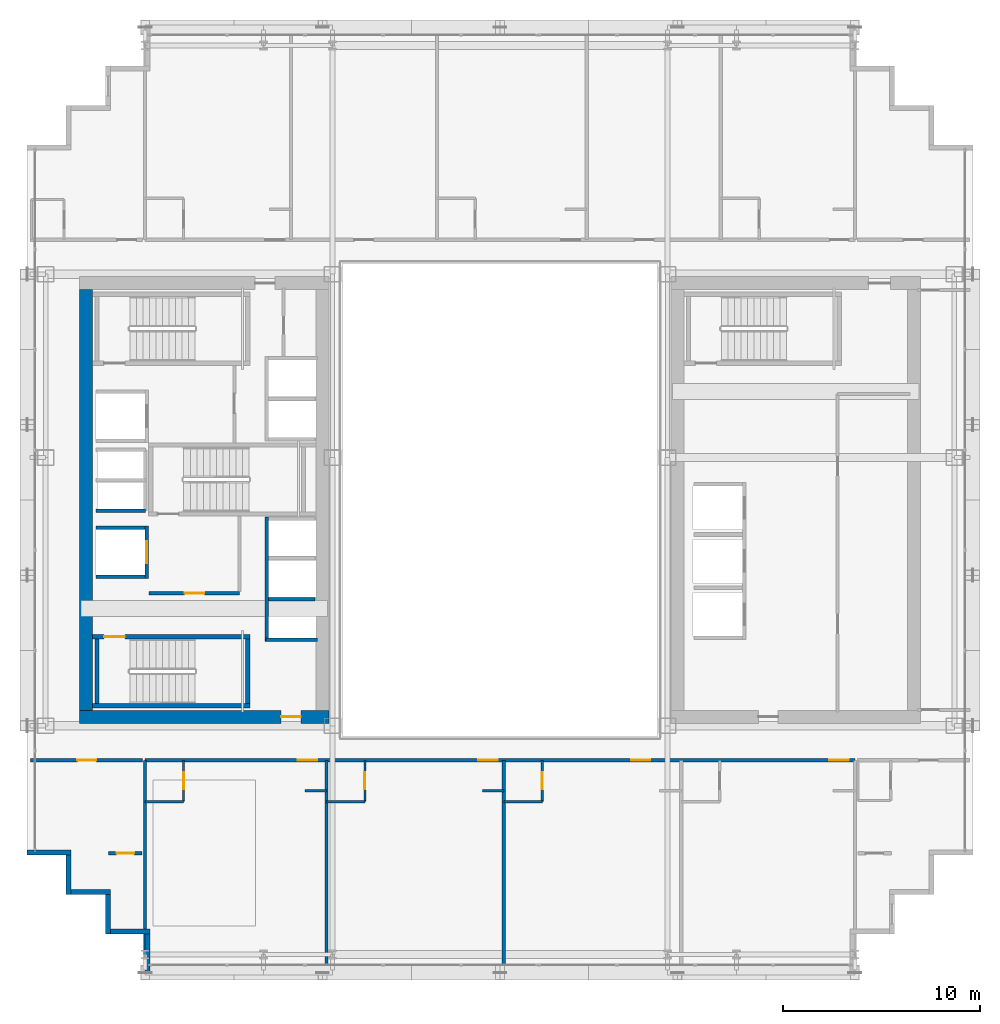
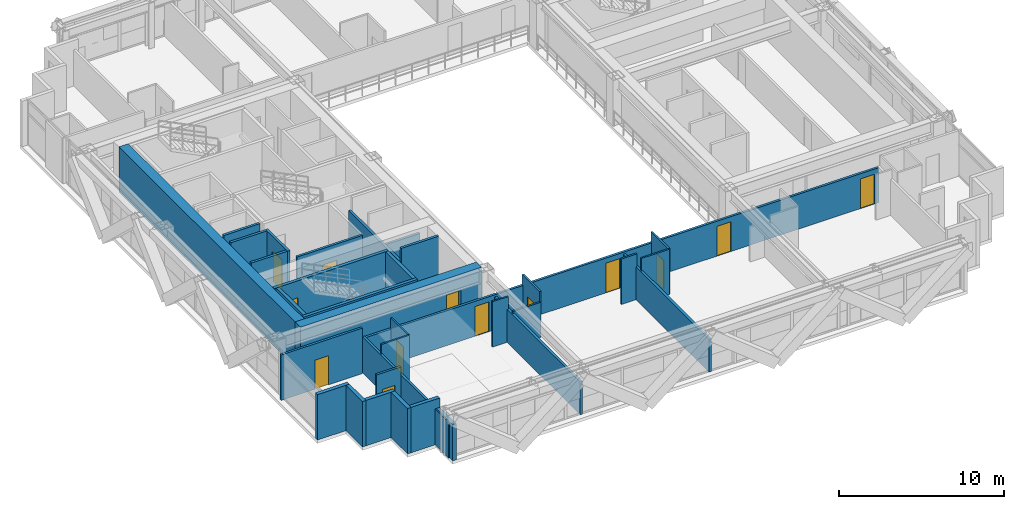
# One storey, part 27 of 34: 34 walls, 13 doors, 13 openings.
"""IFC4 building model written with IfcOpenShell, lengths in metres."""

import ifcopenshell
import ifcopenshell.guid

model = None  # the IFC model being written
_history = None  # IfcOwnerHistory: only IFC2X3 demands one
_inside = {}  # id of a spatial element -> (the spatial element, [elements in it])
_under = {}  # id of a project, library or spatial element -> (it, [spatial elements below it])
_declared = {}  # id of a project -> (the project, [libraries it declares])
_typed = {}  # id of a type object -> (the type object, [elements of that type])
_made_of = {}  # id of a material, layer set ... -> (it, [elements and type objects made of it])


def new_model(schema):
    """Start an empty IFC model of exactly this schema.

    Asked for "IFC4X3", IfcOpenShell would pick the latest addendum, in which some entities
    have other attributes; the version numbers below select the first issue.
    IFC2X3 requires an IfcOwnerHistory on every rooted entity: one is made here for all.
    """
    global model, _history
    if schema == "IFC4X3":
        model = ifcopenshell.file(schema_version=(4, 3, 0, 0))
    else:
        model = ifcopenshell.file(schema=schema)
    _inside.clear()
    _under.clear()
    _declared.clear()
    _typed.clear()
    _made_of.clear()
    _history = None
    if model.schema == "IFC2X3":
        org = make("IfcOrganization", Name="unknown")
        user = make(
            "IfcPersonAndOrganization",
            ThePerson=make("IfcPerson", FamilyName="unknown"),
            TheOrganization=org,
        )
        app = make(
            "IfcApplication",
            ApplicationDeveloper=org,
            Version="unknown",
            ApplicationFullName="unknown",
            ApplicationIdentifier="unknown",
        )
        _history = make(
            "IfcOwnerHistory",
            OwningUser=user,
            OwningApplication=app,
            ChangeAction="ADDED",
            CreationDate=0,
        )
    return model


def make(cls, **values):
    """One entity of the class cls with the attributes given. An attribute that is None is left unset."""
    return model.create_entity(
        cls, **{name: value for name, value in values.items() if value is not None}
    )


def rooted(cls, **values):
    """An entity with a GlobalId (a new one), such as an element, a storey or a relation."""
    return make(cls, GlobalId=ifcopenshell.guid.new(), OwnerHistory=_history, **values)


def si_unit(unit_type, name, prefix=None):
    """IfcSIUnit, for example si_unit("LENGTHUNIT", "METRE", prefix="MILLI")."""
    return make("IfcSIUnit", UnitType=unit_type, Prefix=prefix, Name=name)


def assignment(units):
    """IfcUnitAssignment: the units of a project."""
    return None if units is None else make("IfcUnitAssignment", Units=units)


def point(xyz):
    """IfcCartesianPoint."""
    return None if xyz is None else make("IfcCartesianPoint", Coordinates=xyz)


def direction(xyz):
    """IfcDirection."""
    return None if xyz is None else make("IfcDirection", DirectionRatios=xyz)


def frame(location, z_axis=None, x_axis=None):
    """IfcAxis2Placement3D, a coordinate frame: its origin and axes. An axis left out is left unset."""
    return make(
        "IfcAxis2Placement3D",
        Location=point(location),
        Axis=direction(z_axis),
        RefDirection=direction(x_axis),
    )


def frame_2d(location, x_axis=None):
    """IfcAxis2Placement2D, a coordinate frame in the plane: its origin and x axis."""
    return make(
        "IfcAxis2Placement2D", Location=point(location), RefDirection=direction(x_axis)
    )


def origin():
    """The frame at (0, 0, 0) with its axes left unset."""
    return frame((0.0, 0.0, 0.0))


def place(relative_to, where):
    """IfcLocalPlacement: puts the frame where relative to a parent placement (None: the world)."""
    return make(
        "IfcLocalPlacement", PlacementRelTo=relative_to, RelativePlacement=where
    )


def context(
    kind, dimensions, precision=None, world=None, true_north=None, identifier=None
):
    """IfcGeometricRepresentationContext, for example the 3D "Model" context."""
    return make(
        "IfcGeometricRepresentationContext",
        ContextIdentifier=identifier,
        ContextType=kind,
        CoordinateSpaceDimension=dimensions,
        Precision=precision,
        WorldCoordinateSystem=world,
        TrueNorth=true_north,
    )


def subcontext(parent, identifier, kind, view, scale=None):
    """IfcGeometricRepresentationSubContext, for example "Body" below "Model"."""
    return make(
        "IfcGeometricRepresentationSubContext",
        ContextIdentifier=identifier,
        ContextType=kind,
        ParentContext=parent,
        TargetScale=scale,
        TargetView=view,
    )


def project(units=None, contexts=None):
    """IfcProject with its units and contexts."""
    return rooted(
        "IfcProject",
        Name="project",
        RepresentationContexts=contexts,
        UnitsInContext=assignment(units),
    )


def spatial(cls, under=None, at=None, **own):
    """A site, building, storey or space (cls), placed at a placement, below another one or the project."""
    s = rooted(cls, ObjectPlacement=at, **own)
    if under is not None:
        _under.setdefault(under.id(), (under, []))[1].append(s)
    return s


def profile(cls, at=None, kind="AREA", **sizes):
    """A parametric profile (cls). Its sizes go by their IFC names, for example OverallWidth=200.0."""
    return make(cls, ProfileType=kind, Position=at, **sizes)


def rectangle(**sizes):
    """IfcRectangleProfileDef."""
    return profile("IfcRectangleProfileDef", **sizes)


def extrude(swept, where, along, depth):
    """IfcExtrudedAreaSolid: the profile swept, set in the frame where, extruded along a direction by depth."""
    return make(
        "IfcExtrudedAreaSolid",
        SweptArea=swept,
        Position=where,
        ExtrudedDirection=direction(along),
        Depth=depth,
    )


def shape(context_of_items, identifier, shape_type, items):
    """IfcShapeRepresentation: the items that make up one representation, for example the "Body"."""
    return make(
        "IfcShapeRepresentation",
        ContextOfItems=context_of_items,
        RepresentationIdentifier=identifier,
        RepresentationType=shape_type,
        Items=items,
    )


def source(mapping_origin, context_of_items, identifier, shape_type, items):
    """IfcRepresentationMap: a shape defined once, which mapped items show again and again."""
    return make(
        "IfcRepresentationMap",
        MappingOrigin=mapping_origin,
        MappedRepresentation=shape(context_of_items, identifier, shape_type, items),
    )


def transform(
    local_origin,
    x_axis=None,
    y_axis=None,
    z_axis=None,
    scale=None,
    scale2=None,
    scale3=None,
    uniform=True,
):
    """IfcCartesianTransformationOperator3D, or its non-uniform kind. x_axis, y_axis, z_axis: its Axis1, 2, 3."""
    if uniform:
        return make(
            "IfcCartesianTransformationOperator3D",
            Axis1=direction(x_axis),
            Axis2=direction(y_axis),
            LocalOrigin=point(local_origin),
            Scale=scale,
            Axis3=direction(z_axis),
        )
    return make(
        "IfcCartesianTransformationOperator3DnonUniform",
        Axis1=direction(x_axis),
        Axis2=direction(y_axis),
        LocalOrigin=point(local_origin),
        Scale=scale,
        Axis3=direction(z_axis),
        Scale2=scale2,
        Scale3=scale3,
    )


def mapped(mapping_source, mapping_target):
    """IfcMappedItem: shows the shape of a source again, moved by a transform."""
    return make(
        "IfcMappedItem", MappingSource=mapping_source, MappingTarget=mapping_target
    )


def material(Name=None, Category=None):
    """IfcMaterial."""
    return make("IfcMaterial", Name=Name, Category=Category)


def layer(
    of_material, thickness, ventilated=None, Name=None, Category=None, Priority=None
):
    """IfcMaterialLayer: one layer of a wall or slab, of a material (None: an air gap)."""
    return make(
        "IfcMaterialLayer",
        Material=of_material,
        LayerThickness=thickness,
        IsVentilated=ventilated,
        Name=Name,
        Category=Category,
        Priority=Priority,
    )


def layer_set(layers, Name=None):
    """IfcMaterialLayerSet."""
    return make("IfcMaterialLayerSet", MaterialLayers=layers, LayerSetName=Name)


def made_of(thing, what):
    """Note that an element or type object is made of a material, layer set ...; save() writes the relation."""
    if what is not None:
        _made_of.setdefault(what.id(), (what, []))[1].append(thing)
    return thing


def type_object(cls, material=None, **own):
    """A type object (cls), such as IfcWallType, which elements share."""
    return made_of(rooted(cls, **own), material)


def element(
    cls,
    number,
    at=None,
    inside=None,
    cuts=None,
    type_object=None,
    material=None,
    context=None,
    identifier="Body",
    shape_type=None,
    held_by="IfcProductDefinitionShape",
    body=None,
    shapes=None,
    **own,
):
    """One element of the class cls, such as IfcWall. Its Tag is "e" and its number.

    at: its placement. inside: the storey or other place that contains it. cuts: it is an
    opening in that element (IfcRelVoidsElement). A single representation is given by context,
    identifier, shape_type and body (its items); several are given by shapes. held_by: the class
    of the entity that holds the representations. save() writes the other relations.
    """
    e = rooted(cls, Tag="e%d" % number, ObjectPlacement=at, **own)
    if body is not None:
        shapes = [shape(context, identifier, shape_type, body)]
    if shapes is not None:
        e.Representation = make(held_by, Representations=shapes)
    if inside is not None:
        _inside.setdefault(inside.id(), (inside, []))[1].append(e)
    if cuts is not None:
        rooted(
            "IfcRelVoidsElement", RelatingBuildingElement=cuts, RelatedOpeningElement=e
        )
    if type_object is not None:
        _typed.setdefault(type_object.id(), (type_object, []))[1].append(e)
    return made_of(e, material)


def fill(opening, filler):
    """IfcRelFillsElement: the door or window that sits in an opening."""
    return rooted(
        "IfcRelFillsElement",
        RelatingOpeningElement=opening,
        RelatedBuildingElement=filler,
    )


def aggregate(whole, parts):
    """IfcRelAggregates: a whole, such as a stair, and the parts it consists of."""
    return rooted("IfcRelAggregates", RelatingObject=whole, RelatedObjects=parts)


def save(model, path):
    """Write the relations noted so far, then the file.

    IfcRelAggregates (storeys below a building ...), IfcRelContainedInSpatialStructure (elements
    in a storey), IfcRelDefinesByType, IfcRelAssociatesMaterial and IfcRelDeclares: one each for
    every whole, place, type object, material and project.
    """
    for whole, parts in _under.values():
        aggregate(whole, parts)
    for where, things in _inside.values():
        rooted(
            "IfcRelContainedInSpatialStructure",
            RelatedElements=things,
            RelatingStructure=where,
        )
    for kind, things in _typed.values():
        rooted("IfcRelDefinesByType", RelatedObjects=things, RelatingType=kind)
    for what, things in _made_of.values():
        rooted("IfcRelAssociatesMaterial", RelatedObjects=things, RelatingMaterial=what)
    for by, libraries in _declared.values():
        rooted("IfcRelDeclares", RelatingContext=by, RelatedDefinitions=libraries)
    model.write(path)


model = new_model("IFC4")

# Units and contexts
model_context = context("Model", 3, precision=1e-05, world=origin(), true_north=direction((0.0, 1.0)))
body_context = subcontext(model_context, "Body", "Model", "MODEL_VIEW")
ifc_project = project(units=[si_unit("LENGTHUNIT", "METRE"), si_unit("AREAUNIT", "SQUARE_METRE"), si_unit("VOLUMEUNIT", "CUBIC_METRE"), si_unit("PLANEANGLEUNIT", "RADIAN"), si_unit("MASSUNIT", "GRAM", prefix="KILO")], contexts=[model_context])

# Site, building, storey
site_placement = place(None, origin())
site = spatial("IfcSite", under=ifc_project, at=site_placement, CompositionType="ELEMENT")
building_placement = place(site_placement, origin())
building = spatial("IfcBuilding", under=site, at=building_placement, Name="Ocotamira Hotel", CompositionType="ELEMENT")
storey_placement = place(building_placement, frame((0.0, 0.0, 108.0)))
storey = spatial("IfcBuildingStorey", under=building, at=storey_placement, Name="L26", CompositionType="ELEMENT", Elevation=108.0)

# Wall, opening, door
ifc_material_1 = material(Name="Concrete C60/75", Category="concrete")
ifc_layer_1 = layer(ifc_material_1, 0.64990234375)
ifc_layer_set_1 = layer_set([ifc_layer_1], Name="Concrete C60/75")
wall_type_1 = type_object("IfcWallType", Name="WL-CORE-650", PredefinedType="SHEAR", material=ifc_layer_set_1)
wall_1_placement = place(storey_placement, frame((10.675048828125, 15.0, 0.0), z_axis=(0.0, 0.0, 1.0), x_axis=(1.0, 0.0, 0.0)))
wall_1 = element("IfcWall", 1, at=wall_1_placement, inside=storey, type_object=wall_type_1, Name="L26 Shear Core Wall WCORE-S", PredefinedType="SHEAR", context=body_context, shape_type="SweptSolid", body=[
    extrude(rectangle(XDim=12.64990234375, YDim=0.64990234375, at=frame_2d((6.324951171875, 0.0))), origin(), (0.0, 0.0, 1.0), 3.360107421875),
])
opening_1_placement = place(wall_1_placement, frame((10.22509765625, 0.0, 0.0)))
opening_1 = element("IfcOpeningElement", 2, at=opening_1_placement, cuts=wall_1, Name="Opening D-FR2", PredefinedType="OPENING", context=body_context, shape_type="SweptSolid", body=[
    extrude(rectangle(XDim=1.0, YDim=2.14990234375, at=frame_2d((0.5, 1.074951171875))), frame((0.0, 0.3349609375, 0.0), z_axis=(0.0, -1.0, 0.0), x_axis=(1.0, 0.0, 0.0)), (0.0, 0.0, 1.0), 0.669921875),
])
ifc_material_2 = material(Name="Fire-rated acoustic timber-veneer door", Category="wood")
door_type_1 = type_object("IfcDoorType", Name="DR-FIRE-1000", OperationType="NOTDEFINED", PredefinedType="DOOR", material=ifc_material_2)
shared_shape_1 = source(origin(), body_context, "Body", "SweptSolid", [
    extrude(rectangle(XDim=1.0, YDim=2.14990234375, at=frame_2d((0.5, 1.074951171875))), frame((0.0, 0.02490234375, 0.0), z_axis=(0.0, -1.0, 0.0), x_axis=(1.0, 0.0, 0.0)), (0.0, 0.0, 1.0), 0.050048828125),
])
door_1_placement = place(opening_1_placement, origin())
door_1 = element("IfcDoor", 3, at=door_1_placement, inside=storey, type_object=door_type_1, Name="L26 Door ID-L26-WLOB-S-D [ID-L26-WLOB-S-D]", OperationType="SINGLE_SWING_LEFT", OverallHeight=2.14990234375, OverallWidth=1.0, PredefinedType="DOOR", context=body_context, shape_type="MappedRepresentation", body=[
    mapped(shared_shape_1, transform((0.0, 0.0, 0.0), scale=1.0)),
])
fill(opening_1, door_1)

# Walls
wall_2_placement = place(storey_placement, frame((11.0, 15.324951171875, 0.0), z_axis=(0.0, 0.0, 1.0), x_axis=(0.0, 1.0, 0.0)))
element("IfcWall", 4, at=wall_2_placement, inside=storey, type_object=wall_type_1, Name="L26 Shear Core Wall WCORE-W", PredefinedType="SHEAR", context=body_context, shape_type="SweptSolid", body=[
    extrude(rectangle(XDim=21.35009765625, YDim=0.64990234375, at=frame_2d((10.675048828125, 0.0))), origin(), (0.0, 0.0, 1.0), 3.360107421875),
])
ifc_material_3 = material(Name="Precast concrete C45/55", Category="concrete")
ifc_layer_2 = layer(ifc_material_3, 0.25)
ifc_layer_set_2 = layer_set([ifc_layer_2], Name="Precast concrete C45/55")
wall_type_2 = type_object("IfcWallType", Name="WL-EXT-SER-250", PredefinedType="SOLIDWALL", material=ifc_layer_set_2)
wall_3_placement = place(storey_placement, frame((8.0, 8.125, 0.0), z_axis=(0.0, 0.0, 1.0), x_axis=(1.0, 0.0, 0.0)))
element("IfcWall", 5, at=wall_3_placement, inside=storey, type_object=wall_type_2, Name="L26 Serrated Corner Wall 19", PredefinedType="SOLIDWALL", context=body_context, shape_type="SweptSolid", body=[
    extrude(rectangle(XDim=2.25, YDim=0.25, at=frame_2d((1.125, 0.0))), origin(), (0.0, 0.0, 1.0), 3.360107421875),
])
for number, where, z_axis, x_axis, name in (
    (6, (10.125, 8.0, 0.0), (0.0, 0.0, 1.0), (0.0, -1.0, 0.0), "L26 Serrated Corner Wall 20"),
    (7, (10.25, 6.125, 0.0), (0.0, 0.0, 1.0), (1.0, 0.0, 0.0), "L26 Serrated Corner Wall 21"),
    (8, (12.125, 6.0, 0.0), (0.0, 0.0, 1.0), (0.0, -1.0, 0.0), "L26 Serrated Corner Wall 22"),
    (9, (12.25, 4.125, 0.0), (0.0, 0.0, 1.0), (1.0, 0.0, 0.0), "L26 Serrated Corner Wall 23"),
):
    element("IfcWall", number, at=place(storey_placement, frame(where, z_axis=z_axis, x_axis=x_axis)), inside=storey, type_object=wall_type_2, Name=name, PredefinedType="SOLIDWALL", context=body_context, shape_type="SweptSolid", body=[
        extrude(rectangle(XDim=2.0, YDim=0.25, at=frame_2d((1.0, 0.0))), origin(), (0.0, 0.0, 1.0), 3.360107421875),
    ])
wall_4_placement = place(storey_placement, frame((14.125, 4.0, 0.0), z_axis=(0.0, 0.0, 1.0), x_axis=(0.0, -1.0, 0.0)))
element("IfcWall", 10, at=wall_4_placement, inside=storey, type_object=wall_type_2, Name="L26 Serrated Corner Wall 24", PredefinedType="SOLIDWALL", context=body_context, shape_type="SweptSolid", body=[
    extrude(rectangle(XDim=2.0, YDim=0.25, at=frame_2d((1.0, 0.0))), origin(), (0.0, 0.0, 1.0), 2.6669921875),
])

# Wall, opening, door
ifc_material_4 = material(Name="Acoustic double-layer fire gypsum board partition", Category="gypsum")
ifc_layer_3 = layer(ifc_material_4, 0.159912109375)
ifc_layer_set_3 = layer_set([ifc_layer_3], Name="Acoustic double-layer fire gypsum board partition")
wall_type_3 = type_object("IfcWallType", Name="WL-FIRE-160", PredefinedType="PARTITIONING", material=ifc_layer_set_3)
wall_5_placement = place(storey_placement, frame((14.199951171875, 21.27001953125, 0.0), z_axis=(0.0, 0.0, 1.0), x_axis=(1.0, 0.0, 0.0)))
wall_5 = element("IfcWall", 11, at=wall_5_placement, inside=storey, type_object=wall_type_3, Name="L26 Interior Wall PW-L26-FSAE1-S", PredefinedType="PARTITIONING", context=body_context, shape_type="SweptSolid", body=[
    extrude(rectangle(XDim=4.580078125, YDim=0.159912109375, at=frame_2d((2.2900390625, 0.0))), origin(), (0.0, 0.0, 1.0), 3.360107421875),
])
opening_2_placement = place(wall_5_placement, frame((1.800048828125, 0.0, 0.0)))
opening_2 = element("IfcOpeningElement", 12, at=opening_2_placement, cuts=wall_5, Name="Opening D-FR2", PredefinedType="OPENING", context=body_context, shape_type="SweptSolid", body=[
    extrude(rectangle(XDim=1.0, YDim=2.14990234375, at=frame_2d((0.5, 1.074951171875))), frame((0.0, 0.08984375, 0.0), z_axis=(0.0, -1.0, 0.0), x_axis=(1.0, 0.0, 0.0)), (0.0, 0.0, 1.0), 0.179931640625),
])
door_2_placement = place(opening_2_placement, origin())
door_2 = element("IfcDoor", 13, at=door_2_placement, inside=storey, type_object=door_type_1, Name="L26 Door ID-L26-FSAE1-D [ID-L26-FSAE1-D]", OperationType="SINGLE_SWING_LEFT", OverallHeight=2.14990234375, OverallWidth=1.0, PredefinedType="DOOR", context=body_context, shape_type="MappedRepresentation", body=[
    mapped(shared_shape_1, transform((0.0, 0.0, 0.0), scale=1.0)),
])
fill(opening_2, door_2)

wall_6_placement = place(storey_placement, frame((8.199951171875, 12.800048828125, 0.0), z_axis=(0.0, 0.0, 1.0), x_axis=(1.0, 0.0, 0.0)))
wall_6 = element("IfcWall", 14, at=wall_6_placement, inside=storey, type_object=wall_type_3, Name="L26 Interior Wall PW-L26-Z2B-CSW-CW", PredefinedType="PARTITIONING", context=body_context, shape_type="SweptSolid", body=[
    extrude(rectangle(XDim=5.679931640625, YDim=0.159912109375, at=frame_2d((2.83984375, 0.0))), origin(), (0.0, 0.0, 1.0), 3.360107421875),
])
opening_3_placement = place(wall_6_placement, frame((2.360107421875, 0.0, 0.0)))
opening_3 = element("IfcOpeningElement", 15, at=opening_3_placement, cuts=wall_6, Name="Opening D-SV4", PredefinedType="OPENING", context=body_context, shape_type="SweptSolid", body=[
    extrude(rectangle(XDim=0.9599609375, YDim=2.14990234375, at=frame_2d((0.47998046875, 1.074951171875))), frame((0.0, 0.08984375, 0.0), z_axis=(0.0, -1.0, 0.0), x_axis=(1.0, 0.0, 0.0)), (0.0, 0.0, 1.0), 0.179931640625),
])
ifc_material_5 = material(Name="Fire-rated accessible walnut salon door", Category="wood")
door_type_2 = type_object("IfcDoorType", Name="DR-SERV-960", OperationType="NOTDEFINED", PredefinedType="DOOR", material=ifc_material_5)
shared_shape_2 = source(origin(), body_context, "Body", "SweptSolid", [
    extrude(rectangle(XDim=0.9599609375, YDim=2.14990234375, at=frame_2d((0.47998046875, 1.074951171875))), frame((0.0, 0.02490234375, 0.0), z_axis=(0.0, -1.0, 0.0), x_axis=(1.0, 0.0, 0.0)), (0.0, 0.0, 1.0), 0.050048828125),
])
door_3_placement = place(opening_3_placement, origin())
door_3 = element("IfcDoor", 16, at=door_3_placement, inside=storey, type_object=door_type_2, Name="L26 Door ID-L26-Z2B-CSW-CD [ID-L26-Z2B-CSW-CD]", OperationType="SINGLE_SWING_LEFT", OverallHeight=2.14990234375, OverallWidth=0.9599609375, PredefinedType="DOOR", context=body_context, shape_type="MappedRepresentation", body=[
    mapped(shared_shape_2, transform((0.0, 0.0, 0.0), scale=1.0)),
])
fill(opening_3, door_3)

wall_7_placement = place(storey_placement, frame((12.14990234375, 8.080078125, 0.0), z_axis=(0.0, 0.0, 1.0), x_axis=(1.0, 0.0, 0.0)))
wall_7 = element("IfcWall", 17, at=wall_7_placement, inside=storey, type_object=wall_type_3, Name="L26 Interior Wall PW-L26-Z2B-CSW2-CW", PredefinedType="PARTITIONING", context=body_context, shape_type="SweptSolid", body=[
    extrude(rectangle(XDim=1.7001953125, YDim=0.159912109375, at=frame_2d((0.85009765625, 0.0))), origin(), (0.0, 0.0, 1.0), 3.360107421875),
])
opening_4_placement = place(wall_7_placement, frame((0.409912109375, 0.0, 0.0)))
opening_4 = element("IfcOpeningElement", 18, at=opening_4_placement, cuts=wall_7, Name="Opening D-SV2", PredefinedType="OPENING", context=body_context, shape_type="SweptSolid", body=[
    extrude(rectangle(XDim=0.8798828125, YDim=2.14990234375, at=frame_2d((0.43994140625, 1.074951171875))), frame((0.0, 0.08984375, 0.0), z_axis=(0.0, -1.0, 0.0), x_axis=(1.0, 0.0, 0.0)), (0.0, 0.0, 1.0), 0.179931640625),
])
ifc_material_6 = material(Name="Fire-rated painted steel service door", Category="steel")
door_type_3 = type_object("IfcDoorType", Name="DR-SERV-880", OperationType="NOTDEFINED", PredefinedType="DOOR", material=ifc_material_6)
shared_shape_3 = source(origin(), body_context, "Body", "SweptSolid", [
    extrude(rectangle(XDim=0.8798828125, YDim=2.14990234375, at=frame_2d((0.43994140625, 1.074951171875))), frame((0.0, 0.02490234375, 0.0), z_axis=(0.0, -1.0, 0.0), x_axis=(1.0, 0.0, 0.0)), (0.0, 0.0, 1.0), 0.050048828125),
])
door_4_placement = place(opening_4_placement, origin())
door_4 = element("IfcDoor", 19, at=door_4_placement, inside=storey, type_object=door_type_3, Name="L26 Door ID-L26-Z2B-CSW2-CD [ID-L26-Z2B-CSW2-CD]", OperationType="SINGLE_SWING_LEFT", OverallHeight=2.14990234375, OverallWidth=0.8798828125, PredefinedType="DOOR", context=body_context, shape_type="MappedRepresentation", body=[
    mapped(shared_shape_3, transform((0.0, 0.0, 0.0), scale=1.0)),
])
fill(opening_4, door_4)

# Wall, openings, doors
wall_8_placement = place(storey_placement, frame((14.0, 12.800048828125, 0.0), z_axis=(0.0, 0.0, 1.0), x_axis=(1.0, 0.0, 0.0)))
wall_8 = element("IfcWall", 20, at=wall_8_placement, inside=storey, type_object=wall_type_3, Name="L26 Interior Wall PW-L26-Z2BS-CORRW", PredefinedType="PARTITIONING", context=body_context, shape_type="SweptSolid", body=[
    extrude(rectangle(XDim=36.0, YDim=0.159912109375, at=frame_2d((18.0, 0.0))), origin(), (0.0, 0.0, 1.0), 2.5810546875),
])
opening_5_placement = place(wall_8_placement, frame((7.75, 0.0, 0.0)))
opening_5 = element("IfcOpeningElement", 21, at=opening_5_placement, cuts=wall_8, Name="Opening D-GR2", PredefinedType="OPENING", context=body_context, shape_type="SweptSolid", body=[
    extrude(rectangle(XDim=0.97998046875, YDim=2.199951171875, at=frame_2d((0.489990234375, 1.10009765625))), frame((0.0, 0.08984375, 0.0), z_axis=(0.0, -1.0, 0.0), x_axis=(1.0, 0.0, 0.0)), (0.0, 0.0, 1.0), 0.179931640625),
])
opening_6_placement = place(wall_8_placement, frame((16.89990234375, 0.0, 0.0)))
opening_6 = element("IfcOpeningElement", 22, at=opening_6_placement, cuts=wall_8, Name="Opening D-GR2", PredefinedType="OPENING", context=body_context, shape_type="SweptSolid", body=[
    extrude(rectangle(XDim=0.97998046875, YDim=2.199951171875, at=frame_2d((0.489990234375, 1.10009765625))), frame((0.0, 0.08984375, 0.0), z_axis=(0.0, -1.0, 0.0), x_axis=(1.0, 0.0, 0.0)), (0.0, 0.0, 1.0), 0.179931640625),
])
opening_7_placement = place(wall_8_placement, frame((24.64990234375, 0.0, 0.0)))
opening_7 = element("IfcOpeningElement", 23, at=opening_7_placement, cuts=wall_8, Name="Opening D-GR2", PredefinedType="OPENING", context=body_context, shape_type="SweptSolid", body=[
    extrude(rectangle(XDim=0.97998046875, YDim=2.199951171875, at=frame_2d((0.489990234375, 1.10009765625))), frame((0.0, 0.08984375, 0.0), z_axis=(0.0, -1.0, 0.0), x_axis=(1.0, 0.0, 0.0)), (0.0, 0.0, 1.0), 0.179931640625),
])
opening_8_placement = place(wall_8_placement, frame((34.699951171875, 0.0, 0.0)))
opening_8 = element("IfcOpeningElement", 24, at=opening_8_placement, cuts=wall_8, Name="Opening D-GR2", PredefinedType="OPENING", context=body_context, shape_type="SweptSolid", body=[
    extrude(rectangle(XDim=0.97998046875, YDim=2.199951171875, at=frame_2d((0.489990234375, 1.10009765625))), frame((0.0, 0.08984375, 0.0), z_axis=(0.0, -1.0, 0.0), x_axis=(1.0, 0.0, 0.0)), (0.0, 0.0, 1.0), 0.179931640625),
])
ifc_material_7 = material(Name="Solid-core walnut grand-suite entrance fire door", Category="wood")
door_type_4 = type_object("IfcDoorType", Name="DR-GUEST-980", OperationType="NOTDEFINED", PredefinedType="DOOR", material=ifc_material_7)
shared_shape_4 = source(origin(), body_context, "Body", "SweptSolid", [
    extrude(rectangle(XDim=0.97998046875, YDim=2.199951171875, at=frame_2d((0.489990234375, 1.10009765625))), frame((0.0, 0.02490234375, 0.0), z_axis=(0.0, -1.0, 0.0), x_axis=(1.0, 0.0, 0.0)), (0.0, 0.0, 1.0), 0.050048828125),
])
door_5_placement = place(opening_5_placement, origin())
door_5 = element("IfcDoor", 25, at=door_5_placement, inside=storey, type_object=door_type_4, Name="L26 Door ID-L26-Z2BS-RMD1 [ID-L26-Z2BS-RMD1]", OperationType="SINGLE_SWING_LEFT", OverallHeight=2.199951171875, OverallWidth=0.97998046875, PredefinedType="DOOR", context=body_context, shape_type="MappedRepresentation", body=[
    mapped(shared_shape_4, transform((0.0, 0.0, 0.0), scale=1.0)),
])
fill(opening_5, door_5)
door_6_placement = place(opening_6_placement, origin())
door_6 = element("IfcDoor", 26, at=door_6_placement, inside=storey, type_object=door_type_4, Name="L26 Door ID-L26-Z2BS-RMD2 [ID-L26-Z2BS-RMD2]", OperationType="SINGLE_SWING_RIGHT", OverallHeight=2.199951171875, OverallWidth=0.97998046875, PredefinedType="DOOR", context=body_context, shape_type="MappedRepresentation", body=[
    mapped(shared_shape_4, transform((0.0, 0.0, 0.0), scale=1.0)),
])
fill(opening_6, door_6)
door_7_placement = place(opening_7_placement, origin())
door_7 = element("IfcDoor", 27, at=door_7_placement, inside=storey, type_object=door_type_4, Name="L26 Door ID-L26-Z2BS-RMD3 [ID-L26-Z2BS-RMD3]", OperationType="SINGLE_SWING_LEFT", OverallHeight=2.199951171875, OverallWidth=0.97998046875, PredefinedType="DOOR", context=body_context, shape_type="MappedRepresentation", body=[
    mapped(shared_shape_4, transform((0.0, 0.0, 0.0), scale=1.0)),
])
fill(opening_7, door_7)
door_8_placement = place(opening_8_placement, origin())
door_8 = element("IfcDoor", 28, at=door_8_placement, inside=storey, type_object=door_type_4, Name="L26 Door ID-L26-Z2BS-RMD4 [ID-L26-Z2BS-RMD4]", OperationType="SINGLE_SWING_RIGHT", OverallHeight=2.199951171875, OverallWidth=0.97998046875, PredefinedType="DOOR", context=body_context, shape_type="MappedRepresentation", body=[
    mapped(shared_shape_4, transform((0.0, 0.0, 0.0), scale=1.0)),
])
fill(opening_8, door_8)

# Wall, opening, door
ifc_material_8 = material(Name="Moisture-resistant en-suite tile and gypsum partition", Category="gypsum")
ifc_layer_4 = layer(ifc_material_8, 0.1201171875)
ifc_layer_set_4 = layer_set([ifc_layer_4], Name="Moisture-resistant en-suite tile and gypsum partition")
wall_type_4 = type_object("IfcWallType", Name="WL-PART-120", PredefinedType="PARTITIONING", material=ifc_layer_set_4)
wall_9_placement = place(storey_placement, frame((15.949951171875, 10.699951171875, 0.0), z_axis=(0.0, 0.0, 1.0), x_axis=(0.0, 1.0, 0.0)))
wall_9 = element("IfcWall", 29, at=wall_9_placement, inside=storey, type_object=wall_type_4, Name="L26 Interior Wall PW-L26-Z2BS-BAE1", PredefinedType="PARTITIONING", context=body_context, shape_type="SweptSolid", body=[
    extrude(rectangle(XDim=2.10009765625, YDim=0.1201171875, at=frame_2d((1.050048828125, 0.0))), origin(), (0.0, 0.0, 1.0), 3.360107421875),
])
opening_9_placement = place(wall_9_placement, frame((0.6201171875, 0.0, 0.0)))
opening_9 = element("IfcOpeningElement", 30, at=opening_9_placement, cuts=wall_9, Name="Opening D-BA1", PredefinedType="OPENING", context=body_context, shape_type="SweptSolid", body=[
    extrude(rectangle(XDim=0.860107421875, YDim=2.10009765625, at=frame_2d((0.43017578125, 1.050048828125))), frame((0.0, 0.070068359375, 0.0), z_axis=(0.0, -1.0, 0.0), x_axis=(1.0, 0.0, 0.0)), (0.0, 0.0, 1.0), 0.14013671875),
])
ifc_material_9 = material(Name="Moisture-sealed en-suite timber door", Category="wood")
door_type_5 = type_object("IfcDoorType", Name="DR-BATH-860", OperationType="NOTDEFINED", PredefinedType="DOOR", material=ifc_material_9)
shared_shape_5 = source(origin(), body_context, "Body", "SweptSolid", [
    extrude(rectangle(XDim=0.860107421875, YDim=2.10009765625, at=frame_2d((0.43017578125, 1.050048828125))), frame((0.0, 0.02490234375, 0.0), z_axis=(0.0, -1.0, 0.0), x_axis=(1.0, 0.0, 0.0)), (0.0, 0.0, 1.0), 0.050048828125),
])
door_9_placement = place(opening_9_placement, origin())
door_9 = element("IfcDoor", 31, at=door_9_placement, inside=storey, type_object=door_type_5, Name="L26 Door ID-L26-Z2BS-BAD1 [ID-L26-Z2BS-BAD1]", OperationType="SINGLE_SWING_RIGHT", OverallHeight=2.10009765625, OverallWidth=0.860107421875, PredefinedType="DOOR", context=body_context, shape_type="MappedRepresentation", body=[
    mapped(shared_shape_5, transform((0.0, 0.0, 0.0), scale=1.0)),
])
fill(opening_9, door_9)

# Walls
wall_10_placement = place(storey_placement, frame((14.0, 10.699951171875, 0.0), z_axis=(0.0, 0.0, 1.0), x_axis=(1.0, 0.0, 0.0)))
element("IfcWall", 32, at=wall_10_placement, inside=storey, type_object=wall_type_4, Name="L26 Interior Wall PW-L26-Z2BS-BAS1", PredefinedType="PARTITIONING", context=body_context, shape_type="SweptSolid", body=[
    extrude(rectangle(XDim=1.949951171875, YDim=0.1201171875, at=frame_2d((0.97509765625, 0.0))), origin(), (0.0, 0.0, 1.0), 3.360107421875),
])
wall_11_placement = place(storey_placement, frame((22.10009765625, 11.25, 0.0), z_axis=(0.0, 0.0, 1.0), x_axis=(1.0, 0.0, 0.0)))
element("IfcWall", 33, at=wall_11_placement, inside=storey, type_object=wall_type_4, Name="L26 Interior Wall PW-L26-Z2BS-DRN1", PredefinedType="PARTITIONING", context=body_context, shape_type="SweptSolid", body=[
    extrude(rectangle(XDim=1.099853515625, YDim=0.1201171875, at=frame_2d((0.5498046875, 0.0))), origin(), (0.0, 0.0, 1.0), 3.360107421875),
])

# Wall, opening, door
wall_12_placement = place(storey_placement, frame((25.14990234375, 10.699951171875, 0.0), z_axis=(0.0, 0.0, 1.0), x_axis=(0.0, 1.0, 0.0)))
wall_12 = element("IfcWall", 34, at=wall_12_placement, inside=storey, type_object=wall_type_4, Name="L26 Interior Wall PW-L26-Z2BS-BAE2", PredefinedType="PARTITIONING", context=body_context, shape_type="SweptSolid", body=[
    extrude(rectangle(XDim=2.10009765625, YDim=0.1201171875, at=frame_2d((1.050048828125, 0.0))), origin(), (0.0, 0.0, 1.0), 3.360107421875),
])
opening_10_placement = place(wall_12_placement, frame((0.6201171875, 0.0, 0.0)))
opening_10 = element("IfcOpeningElement", 35, at=opening_10_placement, cuts=wall_12, Name="Opening D-BA1", PredefinedType="OPENING", context=body_context, shape_type="SweptSolid", body=[
    extrude(rectangle(XDim=0.860107421875, YDim=2.10009765625, at=frame_2d((0.43017578125, 1.050048828125))), frame((0.0, 0.070068359375, 0.0), z_axis=(0.0, -1.0, 0.0), x_axis=(1.0, 0.0, 0.0)), (0.0, 0.0, 1.0), 0.14013671875),
])
door_10_placement = place(opening_10_placement, origin())
door_10 = element("IfcDoor", 36, at=door_10_placement, inside=storey, type_object=door_type_5, Name="L26 Door ID-L26-Z2BS-BAD2 [ID-L26-Z2BS-BAD2]", OperationType="SINGLE_SWING_LEFT", OverallHeight=2.10009765625, OverallWidth=0.860107421875, PredefinedType="DOOR", context=body_context, shape_type="MappedRepresentation", body=[
    mapped(shared_shape_5, transform((0.0, 0.0, 0.0), scale=1.0)),
])
fill(opening_10, door_10)

# Walls
wall_13_placement = place(storey_placement, frame((23.199951171875, 10.699951171875, 0.0), z_axis=(0.0, 0.0, 1.0), x_axis=(1.0, 0.0, 0.0)))
element("IfcWall", 37, at=wall_13_placement, inside=storey, type_object=wall_type_4, Name="L26 Interior Wall PW-L26-Z2BS-BAS2", PredefinedType="PARTITIONING", context=body_context, shape_type="SweptSolid", body=[
    extrude(rectangle(XDim=1.949951171875, YDim=0.1201171875, at=frame_2d((0.97509765625, 0.0))), origin(), (0.0, 0.0, 1.0), 2.5810546875),
])
wall_14_placement = place(storey_placement, frame((31.10009765625, 11.25, 0.0), z_axis=(0.0, 0.0, 1.0), x_axis=(1.0, 0.0, 0.0)))
element("IfcWall", 38, at=wall_14_placement, inside=storey, type_object=wall_type_4, Name="L26 Interior Wall PW-L26-Z2BS-DRN2", PredefinedType="PARTITIONING", context=body_context, shape_type="SweptSolid", body=[
    extrude(rectangle(XDim=1.099853515625, YDim=0.1201171875, at=frame_2d((0.5498046875, 0.0))), origin(), (0.0, 0.0, 1.0), 3.360107421875),
])

# Wall, opening, door
wall_15_placement = place(storey_placement, frame((34.14990234375, 10.699951171875, 0.0), z_axis=(0.0, 0.0, 1.0), x_axis=(0.0, 1.0, 0.0)))
wall_15 = element("IfcWall", 39, at=wall_15_placement, inside=storey, type_object=wall_type_4, Name="L26 Interior Wall PW-L26-Z2BS-BAE3", PredefinedType="PARTITIONING", context=body_context, shape_type="SweptSolid", body=[
    extrude(rectangle(XDim=2.10009765625, YDim=0.1201171875, at=frame_2d((1.050048828125, 0.0))), origin(), (0.0, 0.0, 1.0), 3.360107421875),
])
opening_11_placement = place(wall_15_placement, frame((0.6201171875, 0.0, 0.0)))
opening_11 = element("IfcOpeningElement", 40, at=opening_11_placement, cuts=wall_15, Name="Opening D-BA1", PredefinedType="OPENING", context=body_context, shape_type="SweptSolid", body=[
    extrude(rectangle(XDim=0.860107421875, YDim=2.10009765625, at=frame_2d((0.43017578125, 1.050048828125))), frame((0.0, 0.070068359375, 0.0), z_axis=(0.0, -1.0, 0.0), x_axis=(1.0, 0.0, 0.0)), (0.0, 0.0, 1.0), 0.14013671875),
])
door_11_placement = place(opening_11_placement, origin())
door_11 = element("IfcDoor", 41, at=door_11_placement, inside=storey, type_object=door_type_5, Name="L26 Door ID-L26-Z2BS-BAD3 [ID-L26-Z2BS-BAD3]", OperationType="SINGLE_SWING_RIGHT", OverallHeight=2.10009765625, OverallWidth=0.860107421875, PredefinedType="DOOR", context=body_context, shape_type="MappedRepresentation", body=[
    mapped(shared_shape_5, transform((0.0, 0.0, 0.0), scale=1.0)),
])
fill(opening_11, door_11)

# Walls
wall_16_placement = place(storey_placement, frame((32.199951171875, 10.699951171875, 0.0), z_axis=(0.0, 0.0, 1.0), x_axis=(1.0, 0.0, 0.0)))
element("IfcWall", 42, at=wall_16_placement, inside=storey, type_object=wall_type_4, Name="L26 Interior Wall PW-L26-Z2BS-BAS3", PredefinedType="PARTITIONING", context=body_context, shape_type="SweptSolid", body=[
    extrude(rectangle(XDim=1.949951171875, YDim=0.1201171875, at=frame_2d((0.97509765625, 0.0))), origin(), (0.0, 0.0, 1.0), 3.360107421875),
])
ifc_material_10 = material(Name="Acoustic double-stud hospitality gypsum partition", Category="gypsum")
ifc_layer_5 = layer(ifc_material_10, 0.159912109375)
ifc_layer_set_5 = layer_set([ifc_layer_5], Name="Acoustic double-stud hospitality gypsum partition")
wall_type_5 = type_object("IfcWallType", Name="WL-PART-160", PredefinedType="PARTITIONING", material=ifc_layer_set_5)
wall_17_placement = place(storey_placement, frame((14.0, 2.360107421875, 0.0), z_axis=(0.0, 0.0, 1.0), x_axis=(0.0, 1.0, 0.0)))
element("IfcWall", 43, at=wall_17_placement, inside=storey, type_object=wall_type_5, Name="L26 Interior Wall PW-L26-Z2BS-PW0", PredefinedType="PARTITIONING", context=body_context, shape_type="SweptSolid", body=[
    extrude(rectangle(XDim=10.43994140625, YDim=0.159912109375, at=frame_2d((5.219970703125, 0.0))), origin(), (0.0, 0.0, 1.0), 2.6669921875),
])
ifc_material_11 = material(Name="Double-stud suite party gypsum partition", Category="gypsum")
ifc_layer_6 = layer(ifc_material_11, 0.175048828125)
ifc_layer_set_6 = layer_set([ifc_layer_6], Name="Double-stud suite party gypsum partition")
wall_type_6 = type_object("IfcWallType", Name="WL-PART-175", PredefinedType="PARTITIONING", material=ifc_layer_set_6)
for number, where, z_axis, x_axis, name in (
    (44, (23.199951171875, 2.360107421875, 0.0), (0.0, 0.0, 1.0), (0.0, 1.0, 0.0), "L26 Interior Wall PW-L26-Z2BS-PW1"),
    (45, (32.199951171875, 2.360107421875, 0.0), (0.0, 0.0, 1.0), (0.0, 1.0, 0.0), "L26 Interior Wall PW-L26-Z2BS-PW2"),
):
    element("IfcWall", number, at=place(storey_placement, frame(where, z_axis=z_axis, x_axis=x_axis)), inside=storey, type_object=wall_type_6, Name=name, PredefinedType="PARTITIONING", context=body_context, shape_type="SweptSolid", body=[
        extrude(rectangle(XDim=10.43994140625, YDim=0.175048828125, at=frame_2d((5.219970703125, 0.0))), origin(), (0.0, 0.0, 1.0), 2.43310546875),
    ])
ifc_material_12 = material(Name="Fire-rated gypsum shaftliner board assembly", Category="gypsum")
ifc_layer_7 = layer(ifc_material_12, 0.179931640625)
ifc_layer_set_7 = layer_set([ifc_layer_7], Name="Fire-rated gypsum shaftliner board assembly")
wall_type_7 = type_object("IfcWallType", Name="WL-SHAFT-180", PredefinedType="SOLIDWALL", material=ifc_layer_set_7)
wall_18_placement = place(storey_placement, frame((20.159912109375, 18.820068359375, 0.0), z_axis=(0.0, 0.0, 1.0), x_axis=(0.0, 1.0, 0.0)))
element("IfcWall", 46, at=wall_18_placement, inside=storey, type_object=wall_type_7, Name="L26 Interior Wall PW-L26-LFW-BANK-high-F", PredefinedType="SOLIDWALL", context=body_context, shape_type="SweptSolid", body=[
    extrude(rectangle(XDim=6.31982421875, YDim=0.179931640625, at=frame_2d((3.159912109375, 0.0))), origin(), (0.0, 0.0, 1.0), 2.360107421875),
])
wall_19_placement = place(storey_placement, frame((20.1201171875, 18.909912109375, 0.0), z_axis=(0.0, 0.0, 1.0), x_axis=(1.0, 0.0, 0.0)))
element("IfcWall", 47, at=wall_19_placement, inside=storey, type_object=wall_type_7, Name="L26 Interior Wall PW-L26-LFW-BANK-high-S", PredefinedType="SOLIDWALL", context=body_context, shape_type="SweptSolid", body=[
    extrude(rectangle(XDim=2.6298828125, YDim=0.179931640625, at=frame_2d((1.31494140625, 0.0))), origin(), (0.0, 0.0, 1.0), 3.360107421875),
])
wall_20_placement = place(storey_placement, frame((20.25, 20.965087890625, 0.0), z_axis=(0.0, 0.0, 1.0), x_axis=(1.0, 0.0, 0.0)))
element("IfcWall", 48, at=wall_20_placement, inside=storey, type_object=wall_type_7, Name="L26 Interior Wall PW-L26-LFW-DIV-LF-P7", PredefinedType="SOLIDWALL", context=body_context, shape_type="SweptSolid", body=[
    extrude(rectangle(XDim=2.360107421875, YDim=0.179931640625, at=frame_2d((1.18017578125, 0.0))), origin(), (0.0, 0.0, 1.0), 2.360107421875),
])
for number, where, z_axis, x_axis, name in (
    (49, (11.5, 22.110107421875, 0.0), (0.0, 0.0, 1.0), (1.0, 0.0, 0.0), "L26 Interior Wall PW-L26-LFW-LF-FSAE1-S"),
    (50, (11.5, 24.590087890625, 0.0), (0.0, 0.0, 1.0), (1.0, 0.0, 0.0), "L26 Interior Wall PW-L26-LFW-LF-FSAE1-N"),
):
    element("IfcWall", number, at=place(storey_placement, frame(where, z_axis=z_axis, x_axis=x_axis)), inside=storey, type_object=wall_type_7, Name=name, PredefinedType="SOLIDWALL", context=body_context, shape_type="SweptSolid", body=[
        extrude(rectangle(XDim=2.5, YDim=0.179931640625, at=frame_2d((1.25, 0.0))), origin(), (0.0, 0.0, 1.0), 3.360107421875),
    ])

# Wall, opening, door
wall_21_placement = place(storey_placement, frame((14.090087890625, 22.02001953125, 0.0), z_axis=(0.0, 0.0, 1.0), x_axis=(0.0, 1.0, 0.0)))
wall_21 = element("IfcWall", 51, at=wall_21_placement, inside=storey, type_object=wall_type_7, Name="L26 Interior Wall PW-L26-LFW-LF-FSAE1-E", PredefinedType="SOLIDWALL", context=body_context, shape_type="SweptSolid", body=[
    extrude(rectangle(XDim=2.659912109375, YDim=0.179931640625, at=frame_2d((1.330078125, 0.0))), origin(), (0.0, 0.0, 1.0), 3.360107421875),
])
opening_12_placement = place(wall_21_placement, frame((0.780029296875, 0.0, 0.0)))
opening_12 = element("IfcOpeningElement", 52, at=opening_12_placement, cuts=wall_21, Name="Opening LD-LF-FSAE1", PredefinedType="OPENING", context=body_context, shape_type="SweptSolid", body=[
    extrude(rectangle(XDim=1.10009765625, YDim=2.199951171875, at=frame_2d((0.550048828125, 1.10009765625))), frame((0.0, 0.10009765625, 0.0), z_axis=(0.0, -1.0, 0.0), x_axis=(1.0, 0.0, 0.0)), (0.0, 0.0, 1.0), 0.199951171875),
])
ifc_material_13 = material(Name="Brushed pale-metal stainless elevator landing door", Category="steel")
door_type_6 = type_object("IfcDoorType", Name="DR-LIFT-1100", OperationType="NOTDEFINED", PredefinedType="DOOR", material=ifc_material_13)
shared_shape_6 = source(origin(), body_context, "Body", "SweptSolid", [
    extrude(rectangle(XDim=1.10009765625, YDim=2.199951171875, at=frame_2d((0.550048828125, 1.10009765625))), frame((0.0, 0.02490234375, 0.0), z_axis=(0.0, -1.0, 0.0), x_axis=(1.0, 0.0, 0.0)), (0.0, 0.0, 1.0), 0.050048828125),
])
door_12_placement = place(opening_12_placement, origin())
door_12 = element("IfcDoor", 53, at=door_12_placement, inside=storey, type_object=door_type_6, Name="L26 Landing Door LD-LF-FSAE1 [ID-L26-LD-LF-FSAE1]", OperationType="DOUBLE_DOOR_SLIDING", OverallHeight=2.199951171875, OverallWidth=1.10009765625, PredefinedType="DOOR", context=body_context, shape_type="MappedRepresentation", body=[
    mapped(shared_shape_6, transform((0.0, 0.0, 0.0), scale=1.0)),
])
fill(opening_12, door_12)

# Walls
wall_22_placement = place(storey_placement, frame((11.5, 25.4599609375, 0.0), z_axis=(0.0, 0.0, 1.0), x_axis=(1.0, 0.0, 0.0)))
element("IfcWall", 54, at=wall_22_placement, inside=storey, type_object=wall_type_7, Name="L26 Interior Wall PW-L26-RSW-S", PredefinedType="SOLIDWALL", context=body_context, shape_type="SweptSolid", body=[
    extrude(rectangle(XDim=2.510009765625, YDim=0.179931640625, at=frame_2d((1.2548828125, 0.0))), origin(), (0.0, 0.0, 1.0), 3.360107421875),
])
ifc_material_14 = material(Name="Concrete C50/60", Category="concrete")
ifc_layer_8 = layer(ifc_material_14, 0.219970703125)
ifc_layer_set_8 = layer_set([ifc_layer_8], Name="Concrete C50/60")
wall_type_8 = type_object("IfcWallType", Name="WL-STAIR-220", PredefinedType="SHEAR", material=ifc_layer_set_8)
wall_23_placement = place(storey_placement, frame((11.324951171875, 15.56005859375, 0.0), z_axis=(0.0, 0.0, 1.0), x_axis=(1.0, 0.0, 0.0)))
element("IfcWall", 55, at=wall_23_placement, inside=storey, type_object=wall_type_8, Name="L26 Stair Shaft Structural Wall ST-1-S", PredefinedType="SHEAR", context=body_context, shape_type="SweptSolid", body=[
    extrude(rectangle(XDim=7.985107421875, YDim=0.219970703125, at=frame_2d((3.99267578125, 0.0))), origin(), (0.0, 0.0, 1.0), 3.39990234375),
])

# Wall, opening, door
wall_24_placement = place(storey_placement, frame((11.324951171875, 19.06005859375, 0.0), z_axis=(0.0, 0.0, 1.0), x_axis=(1.0, 0.0, 0.0)))
wall_24 = element("IfcWall", 56, at=wall_24_placement, inside=storey, type_object=wall_type_8, Name="L26 Stair Shaft Structural Wall ST-1-N", PredefinedType="SHEAR", context=body_context, shape_type="SweptSolid", body=[
    extrude(rectangle(XDim=7.985107421875, YDim=0.219970703125, at=frame_2d((3.99267578125, 0.0))), origin(), (0.0, 0.0, 1.0), 3.39990234375),
])
opening_13_placement = place(wall_24_placement, frame((0.594970703125, 0.0, 0.0)))
opening_13 = element("IfcOpeningElement", 57, at=opening_13_placement, cuts=wall_24, Name="Opening D-ST2", PredefinedType="OPENING", context=body_context, shape_type="SweptSolid", body=[
    extrude(rectangle(XDim=1.050048828125, YDim=2.14990234375, at=frame_2d((0.52490234375, 1.074951171875))), frame((0.0, 0.1201171875, 0.0), z_axis=(0.0, -1.0, 0.0), x_axis=(1.0, 0.0, 0.0)), (0.0, 0.0, 1.0), 0.239990234375),
])
ifc_material_15 = material(Name="Insulated painted hollow-metal fire exit door", Category="steel")
door_type_7 = type_object("IfcDoorType", Name="DR-STAIR-1050", OperationType="NOTDEFINED", PredefinedType="DOOR", material=ifc_material_15)
shared_shape_7 = source(origin(), body_context, "Body", "SweptSolid", [
    extrude(rectangle(XDim=1.050048828125, YDim=2.14990234375, at=frame_2d((0.52490234375, 1.074951171875))), frame((0.0, 0.02490234375, 0.0), z_axis=(0.0, -1.0, 0.0), x_axis=(1.0, 0.0, 0.0)), (0.0, 0.0, 1.0), 0.050048828125),
])
door_13_placement = place(opening_13_placement, origin())
door_13 = element("IfcDoor", 58, at=door_13_placement, inside=storey, type_object=door_type_7, Name="L26 Door ID-L26-STD-ST-1 [ID-L26-STD-ST-1]", OperationType="SINGLE_SWING_LEFT", OverallHeight=2.14990234375, OverallWidth=1.050048828125, PredefinedType="DOOR", context=body_context, shape_type="MappedRepresentation", body=[
    mapped(shared_shape_7, transform((0.0, 0.0, 0.0), scale=1.0)),
])
fill(opening_13, door_13)

# Walls
for number, where, z_axis, x_axis, name in (
    (59, (11.56005859375, 15.669921875, 0.0), (0.0, 0.0, 1.0), (0.0, 1.0, 0.0), "L26 Stair Shaft Structural Wall ST-1-W"),
    (60, (19.199951171875, 15.669921875, 0.0), (0.0, 0.0, 1.0), (0.0, 1.0, 0.0), "L26 Stair Shaft Structural Wall ST-1-E"),
):
    element("IfcWall", number, at=place(storey_placement, frame(where, z_axis=z_axis, x_axis=x_axis)), inside=storey, type_object=wall_type_8, Name=name, PredefinedType="SHEAR", context=body_context, shape_type="SweptSolid", body=[
        extrude(rectangle(XDim=3.280029296875, YDim=0.219970703125, at=frame_2d((1.64013671875, 0.0))), origin(), (0.0, 0.0, 1.0), 3.39990234375),
    ])

save(model, "model.ifc")
